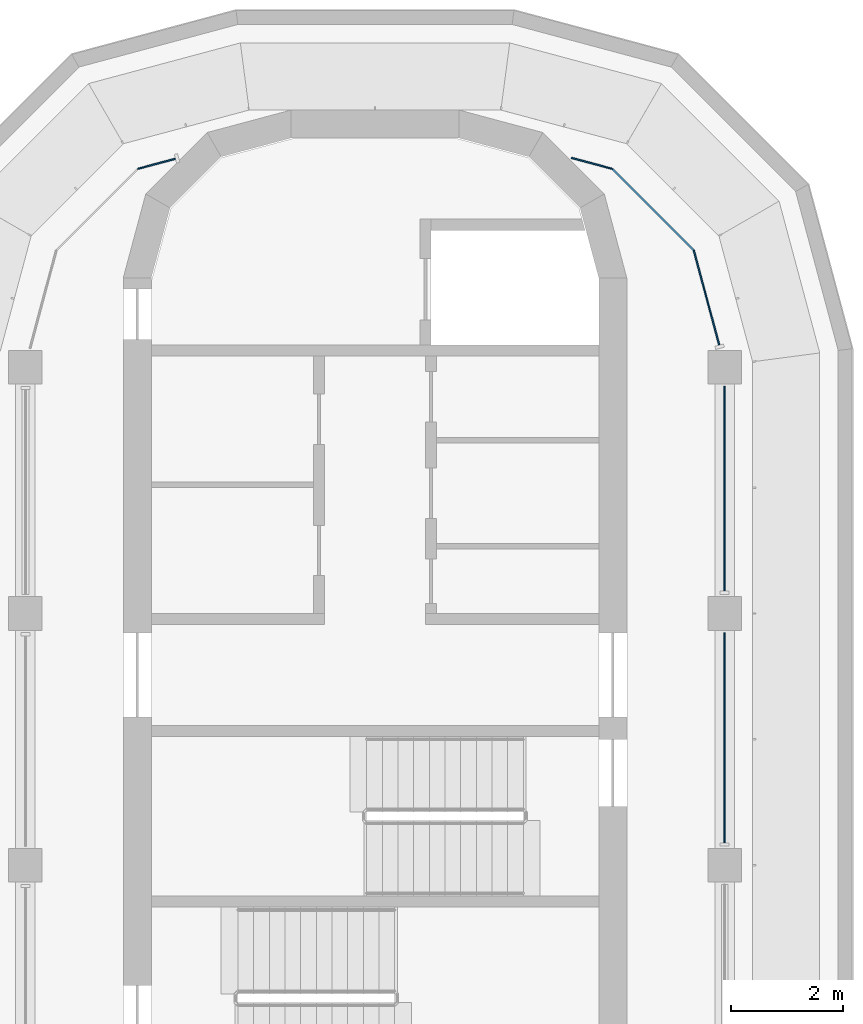
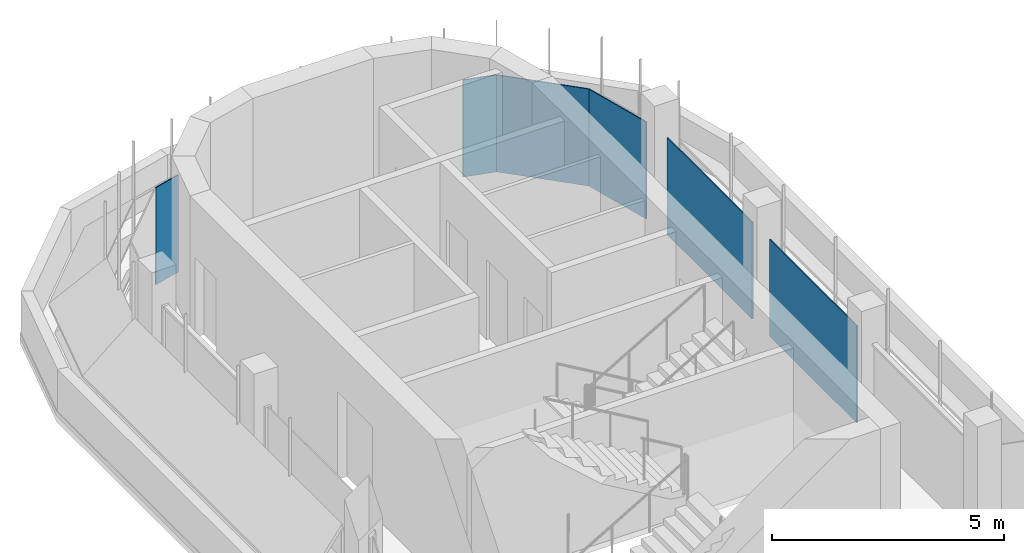
# One storey, part 7 of 13: 6 plates, 5 elements without a shape of their own.
"""IFC4 building model written with IfcOpenShell, lengths in metres."""

import ifcopenshell
import ifcopenshell.guid

model = None  # the IFC model being written
_history = None  # IfcOwnerHistory: only IFC2X3 demands one
_inside = {}  # id of a spatial element -> (the spatial element, [elements in it])
_under = {}  # id of a project, library or spatial element -> (it, [spatial elements below it])
_declared = {}  # id of a project -> (the project, [libraries it declares])
_typed = {}  # id of a type object -> (the type object, [elements of that type])
_made_of = {}  # id of a material, layer set ... -> (it, [elements and type objects made of it])


def new_model(schema):
    """Start an empty IFC model of exactly this schema.

    Asked for "IFC4X3", IfcOpenShell would pick the latest addendum, in which some entities
    have other attributes; the version numbers below select the first issue.
    IFC2X3 requires an IfcOwnerHistory on every rooted entity: one is made here for all.
    """
    global model, _history
    if schema == "IFC4X3":
        model = ifcopenshell.file(schema_version=(4, 3, 0, 0))
    else:
        model = ifcopenshell.file(schema=schema)
    _inside.clear()
    _under.clear()
    _declared.clear()
    _typed.clear()
    _made_of.clear()
    _history = None
    if model.schema == "IFC2X3":
        org = make("IfcOrganization", Name="unknown")
        user = make(
            "IfcPersonAndOrganization",
            ThePerson=make("IfcPerson", FamilyName="unknown"),
            TheOrganization=org,
        )
        app = make(
            "IfcApplication",
            ApplicationDeveloper=org,
            Version="unknown",
            ApplicationFullName="unknown",
            ApplicationIdentifier="unknown",
        )
        _history = make(
            "IfcOwnerHistory",
            OwningUser=user,
            OwningApplication=app,
            ChangeAction="ADDED",
            CreationDate=0,
        )
    return model


def make(cls, **values):
    """One entity of the class cls with the attributes given. An attribute that is None is left unset."""
    return model.create_entity(
        cls, **{name: value for name, value in values.items() if value is not None}
    )


def rooted(cls, **values):
    """An entity with a GlobalId (a new one), such as an element, a storey or a relation."""
    return make(cls, GlobalId=ifcopenshell.guid.new(), OwnerHistory=_history, **values)


def si_unit(unit_type, name, prefix=None):
    """IfcSIUnit, for example si_unit("LENGTHUNIT", "METRE", prefix="MILLI")."""
    return make("IfcSIUnit", UnitType=unit_type, Prefix=prefix, Name=name)


def assignment(units):
    """IfcUnitAssignment: the units of a project."""
    return None if units is None else make("IfcUnitAssignment", Units=units)


def point(xyz):
    """IfcCartesianPoint."""
    return None if xyz is None else make("IfcCartesianPoint", Coordinates=xyz)


def direction(xyz):
    """IfcDirection."""
    return None if xyz is None else make("IfcDirection", DirectionRatios=xyz)


def frame(location, z_axis=None, x_axis=None):
    """IfcAxis2Placement3D, a coordinate frame: its origin and axes. An axis left out is left unset."""
    return make(
        "IfcAxis2Placement3D",
        Location=point(location),
        Axis=direction(z_axis),
        RefDirection=direction(x_axis),
    )


def origin():
    """The frame at (0, 0, 0) with its axes left unset."""
    return frame((0.0, 0.0, 0.0))


def place(relative_to, where):
    """IfcLocalPlacement: puts the frame where relative to a parent placement (None: the world)."""
    return make(
        "IfcLocalPlacement", PlacementRelTo=relative_to, RelativePlacement=where
    )


def context(
    kind, dimensions, precision=None, world=None, true_north=None, identifier=None
):
    """IfcGeometricRepresentationContext, for example the 3D "Model" context."""
    return make(
        "IfcGeometricRepresentationContext",
        ContextIdentifier=identifier,
        ContextType=kind,
        CoordinateSpaceDimension=dimensions,
        Precision=precision,
        WorldCoordinateSystem=world,
        TrueNorth=true_north,
    )


def subcontext(parent, identifier, kind, view, scale=None):
    """IfcGeometricRepresentationSubContext, for example "Body" below "Model"."""
    return make(
        "IfcGeometricRepresentationSubContext",
        ContextIdentifier=identifier,
        ContextType=kind,
        ParentContext=parent,
        TargetScale=scale,
        TargetView=view,
    )


def project(units=None, contexts=None):
    """IfcProject with its units and contexts."""
    return rooted(
        "IfcProject",
        Name="project",
        RepresentationContexts=contexts,
        UnitsInContext=assignment(units),
    )


def spatial(cls, under=None, at=None, **own):
    """A site, building, storey or space (cls), placed at a placement, below another one or the project."""
    s = rooted(cls, ObjectPlacement=at, **own)
    if under is not None:
        _under.setdefault(under.id(), (under, []))[1].append(s)
    return s


def polyline(points):
    """IfcPolyline through the points."""
    return make("IfcPolyline", Points=[point(p) for p in points])


def outline(outer, holes=None, kind="AREA"):
    """IfcArbitraryClosedProfileDef: a profile drawn as a closed curve; with holes, ...WithVoids."""
    if holes is None:
        return make("IfcArbitraryClosedProfileDef", ProfileType=kind, OuterCurve=outer)
    return make(
        "IfcArbitraryProfileDefWithVoids",
        ProfileType=kind,
        OuterCurve=outer,
        InnerCurves=holes,
    )


def extrude(swept, where, along, depth):
    """IfcExtrudedAreaSolid: the profile swept, set in the frame where, extruded along a direction by depth."""
    return make(
        "IfcExtrudedAreaSolid",
        SweptArea=swept,
        Position=where,
        ExtrudedDirection=direction(along),
        Depth=depth,
    )


def shape(context_of_items, identifier, shape_type, items):
    """IfcShapeRepresentation: the items that make up one representation, for example the "Body"."""
    return make(
        "IfcShapeRepresentation",
        ContextOfItems=context_of_items,
        RepresentationIdentifier=identifier,
        RepresentationType=shape_type,
        Items=items,
    )


def source(mapping_origin, context_of_items, identifier, shape_type, items):
    """IfcRepresentationMap: a shape defined once, which mapped items show again and again."""
    return make(
        "IfcRepresentationMap",
        MappingOrigin=mapping_origin,
        MappedRepresentation=shape(context_of_items, identifier, shape_type, items),
    )


def transform(
    local_origin,
    x_axis=None,
    y_axis=None,
    z_axis=None,
    scale=None,
    scale2=None,
    scale3=None,
    uniform=True,
):
    """IfcCartesianTransformationOperator3D, or its non-uniform kind. x_axis, y_axis, z_axis: its Axis1, 2, 3."""
    if uniform:
        return make(
            "IfcCartesianTransformationOperator3D",
            Axis1=direction(x_axis),
            Axis2=direction(y_axis),
            LocalOrigin=point(local_origin),
            Scale=scale,
            Axis3=direction(z_axis),
        )
    return make(
        "IfcCartesianTransformationOperator3DnonUniform",
        Axis1=direction(x_axis),
        Axis2=direction(y_axis),
        LocalOrigin=point(local_origin),
        Scale=scale,
        Axis3=direction(z_axis),
        Scale2=scale2,
        Scale3=scale3,
    )


def mapped(mapping_source, mapping_target):
    """IfcMappedItem: shows the shape of a source again, moved by a transform."""
    return make(
        "IfcMappedItem", MappingSource=mapping_source, MappingTarget=mapping_target
    )


def material(Name=None, Category=None):
    """IfcMaterial."""
    return make("IfcMaterial", Name=Name, Category=Category)


def layer(
    of_material, thickness, ventilated=None, Name=None, Category=None, Priority=None
):
    """IfcMaterialLayer: one layer of a wall or slab, of a material (None: an air gap)."""
    return make(
        "IfcMaterialLayer",
        Material=of_material,
        LayerThickness=thickness,
        IsVentilated=ventilated,
        Name=Name,
        Category=Category,
        Priority=Priority,
    )


def layer_set(layers, Name=None):
    """IfcMaterialLayerSet."""
    return make("IfcMaterialLayerSet", MaterialLayers=layers, LayerSetName=Name)


def made_of(thing, what):
    """Note that an element or type object is made of a material, layer set ...; save() writes the relation."""
    if what is not None:
        _made_of.setdefault(what.id(), (what, []))[1].append(thing)
    return thing


def type_object(cls, material=None, **own):
    """A type object (cls), such as IfcWallType, which elements share."""
    return made_of(rooted(cls, **own), material)


def element(
    cls,
    number,
    at=None,
    inside=None,
    cuts=None,
    type_object=None,
    material=None,
    context=None,
    identifier="Body",
    shape_type=None,
    held_by="IfcProductDefinitionShape",
    body=None,
    shapes=None,
    **own,
):
    """One element of the class cls, such as IfcWall. Its Tag is "e" and its number.

    at: its placement. inside: the storey or other place that contains it. cuts: it is an
    opening in that element (IfcRelVoidsElement). A single representation is given by context,
    identifier, shape_type and body (its items); several are given by shapes. held_by: the class
    of the entity that holds the representations. save() writes the other relations.
    """
    e = rooted(cls, Tag="e%d" % number, ObjectPlacement=at, **own)
    if body is not None:
        shapes = [shape(context, identifier, shape_type, body)]
    if shapes is not None:
        e.Representation = make(held_by, Representations=shapes)
    if inside is not None:
        _inside.setdefault(inside.id(), (inside, []))[1].append(e)
    if cuts is not None:
        rooted(
            "IfcRelVoidsElement", RelatingBuildingElement=cuts, RelatedOpeningElement=e
        )
    if type_object is not None:
        _typed.setdefault(type_object.id(), (type_object, []))[1].append(e)
    return made_of(e, material)


def aggregate(whole, parts):
    """IfcRelAggregates: a whole, such as a stair, and the parts it consists of."""
    return rooted("IfcRelAggregates", RelatingObject=whole, RelatedObjects=parts)


def save(model, path):
    """Write the relations noted so far, then the file.

    IfcRelAggregates (storeys below a building ...), IfcRelContainedInSpatialStructure (elements
    in a storey), IfcRelDefinesByType, IfcRelAssociatesMaterial and IfcRelDeclares: one each for
    every whole, place, type object, material and project.
    """
    for whole, parts in _under.values():
        aggregate(whole, parts)
    for where, things in _inside.values():
        rooted(
            "IfcRelContainedInSpatialStructure",
            RelatedElements=things,
            RelatingStructure=where,
        )
    for kind, things in _typed.values():
        rooted("IfcRelDefinesByType", RelatedObjects=things, RelatingType=kind)
    for what, things in _made_of.values():
        rooted("IfcRelAssociatesMaterial", RelatedObjects=things, RelatingMaterial=what)
    for by, libraries in _declared.values():
        rooted("IfcRelDeclares", RelatingContext=by, RelatedDefinitions=libraries)
    model.write(path)


model = new_model("IFC4")

# Units and contexts
model_context = context("Model", 3, precision=1e-05, world=origin(), true_north=direction((0.0, 1.0)))
body_context = subcontext(model_context, "Body", "Model", "MODEL_VIEW")
ifc_project = project(units=[si_unit("LENGTHUNIT", "METRE"), si_unit("AREAUNIT", "SQUARE_METRE"), si_unit("VOLUMEUNIT", "CUBIC_METRE"), si_unit("PLANEANGLEUNIT", "RADIAN"), si_unit("MASSUNIT", "GRAM", prefix="KILO")], contexts=[model_context])

# Site, building, storey
site_placement = place(None, origin())
site = spatial("IfcSite", under=ifc_project, at=site_placement, CompositionType="ELEMENT")
building_placement = place(site_placement, origin())
building = spatial("IfcBuilding", under=site, at=building_placement, Name="Zarbagh Exchange Tower", CompositionType="ELEMENT")
storey_placement = place(building_placement, frame((0.0, 0.0, 302.39990234375)))
storey = spatial("IfcBuildingStorey", under=building, at=storey_placement, Name="L74", CompositionType="ELEMENT", Elevation=302.39990234375)

# Curtain wall, plate
ifc_material_1 = material(Name="Anodised aluminium frame and glazing", Category="aluminium")
curtain_wall_type = type_object("IfcCurtainWallType", Name="CWF Crown tier glazing", PredefinedType="NOTDEFINED", material=ifc_material_1)
curtain_wall_1_placement = place(storey_placement, origin())
curtain_wall_1 = element("IfcCurtainWall", 1, at=curtain_wall_1_placement, inside=storey, type_object=curtain_wall_type, Name="CWF24 curtain wall", PredefinedType="NOTDEFINED")
ifc_material_2 = material(Name="Low-e double glazed unit, 6+12+6 mm")
ifc_layer = layer(ifc_material_2, 0.028076171875)
ifc_layer_set = layer_set([ifc_layer], Name="PAF Glazing panel, Low-e double glazed unit, 6+12+6 mm")
plate_type = type_object("IfcPlateType", Name="PAF Glazing panel, Low-e double glazed unit, 6+12+6 mm", PredefinedType="CURTAIN_PANEL", material=ifc_layer_set)
shared_shape_1 = source(origin(), body_context, "Body", "SweptSolid", [
    extrude(outline(polyline([(0.0, -0.013916015625), (0.697021484375, -0.013916015625), (0.697021484375, 0.013916015625), (0.0, 0.013916015625), (0.0, -0.013916015625)])), origin(), (0.0, 0.0, 1.0), 2.550048828125),
])
placement = place(storey_placement, origin())
plate_1 = element("IfcPlate", 2, at=placement, type_object=plate_type, Name="CWF24 glazing panel 1.1", PredefinedType="CURTAIN_PANEL", context=body_context, shape_type="MappedRepresentation", body=[
    mapped(shared_shape_1, transform((-3.56787109375, 28.379150390625, 0.0), x_axis=(-0.965924289636, -0.258824779902, 0.0), y_axis=(0.258824779902, -0.965924289636, 0.0), z_axis=(0.0, 0.0, 1.0))),
])
aggregate(curtain_wall_1, [plate_1])

curtain_wall_2_placement = place(storey_placement, origin())
curtain_wall_2 = element("IfcCurtainWall", 3, at=curtain_wall_2_placement, inside=storey, type_object=curtain_wall_type, Name="CWF22 curtain wall", PredefinedType="NOTDEFINED")
shared_shape_2 = source(origin(), body_context, "Body", "SweptSolid", [
    extrude(outline(polyline([(0.0, -0.013916015625), (2.061279296875, -0.013916015625), (2.061279296875, 0.013916015625), (0.0, 0.013916015625), (0.0, -0.013916015625)])), origin(), (0.0, 0.0, 1.0), 2.550048828125),
])
plate_2 = element("IfcPlate", 4, at=placement, type_object=plate_type, Name="CWF22 glazing panel 1.1", PredefinedType="CURTAIN_PANEL", context=body_context, shape_type="MappedRepresentation", body=[
    mapped(shared_shape_2, transform((5.69873046875, 26.7412109375, 0.0), x_axis=(-0.707106781187, 0.707106781187, 0.0), y_axis=(-0.707106781187, -0.707106781187, 0.0), z_axis=(0.0, 0.0, 1.0))),
])
aggregate(curtain_wall_2, [plate_2])

# Curtain wall, plates
curtain_wall_3_placement = place(storey_placement, origin())
curtain_wall_3 = element("IfcCurtainWall", 5, at=curtain_wall_3_placement, inside=storey, type_object=curtain_wall_type, Name="CWF20 curtain wall", PredefinedType="NOTDEFINED")
shared_shape_3 = source(origin(), body_context, "Body", "SweptSolid", [
    extrude(outline(polyline([(0.0, -0.013916015625), (3.760009765625, -0.013916015625), (3.760009765625, 0.013916015625), (0.0, 0.013916015625), (0.0, -0.013916015625)])), origin(), (0.0, 0.0, 1.0), 2.550048828125),
])
plate_3 = element("IfcPlate", 6, at=placement, type_object=plate_type, Name="CWF20 glazing panel 2.1", PredefinedType="CURTAIN_PANEL", context=body_context, shape_type="MappedRepresentation", body=[
    mapped(shared_shape_3, transform((6.25, 16.150146484375, 0.0), x_axis=(0.0, 1.0, 0.0), y_axis=(-1.0, 0.0, 0.0), z_axis=(0.0, 0.0, 1.0))),
])
shared_shape_4 = source(origin(), body_context, "Body", "SweptSolid", [
    extrude(outline(polyline([(0.0, -0.013916015625), (3.659912109375, -0.013916015625), (3.659912109375, 0.013916015625), (0.0, 0.013916015625), (0.0, -0.013916015625)])), origin(), (0.0, 0.0, 1.0), 2.550048828125),
])
plate_4 = element("IfcPlate", 7, at=placement, type_object=plate_type, Name="CWF20 glazing panel 3.1", PredefinedType="CURTAIN_PANEL", context=body_context, shape_type="MappedRepresentation", body=[
    mapped(shared_shape_4, transform((6.25, 20.650146484375, 0.0), x_axis=(0.0, 1.0, 0.0), y_axis=(-1.0, 0.0, 0.0), z_axis=(0.0, 0.0, 1.0))),
])
aggregate(curtain_wall_3, [plate_3, plate_4])

# Curtain wall, plate
curtain_wall_4_placement = place(storey_placement, origin())
curtain_wall_4 = element("IfcCurtainWall", 8, at=curtain_wall_4_placement, inside=storey, type_object=curtain_wall_type, Name="CWF21 curtain wall", PredefinedType="NOTDEFINED")
shared_shape_5 = source(origin(), body_context, "Body", "SweptSolid", [
    extrude(outline(polyline([(0.0, -0.013916015625), (1.7529296875, -0.013916015625), (1.7529296875, 0.013916015625), (0.0, 0.013916015625), (0.0, -0.013916015625)])), origin(), (0.0, 0.0, 1.0), 2.550048828125),
])
plate_5 = element("IfcPlate", 9, at=placement, type_object=plate_type, Name="CWF21 glazing panel 1.1", PredefinedType="CURTAIN_PANEL", context=body_context, shape_type="MappedRepresentation", body=[
    mapped(shared_shape_5, transform((6.152587890625, 25.0478515625, 0.0), x_axis=(-0.258824779902, 0.965924289636, 0.0), y_axis=(-0.965924289636, -0.258824779902, 0.0), z_axis=(0.0, 0.0, 1.0))),
])
aggregate(curtain_wall_4, [plate_5])

curtain_wall_5_placement = place(storey_placement, origin())
curtain_wall_5 = element("IfcCurtainWall", 10, at=curtain_wall_5_placement, inside=storey, type_object=curtain_wall_type, Name="CWF23 curtain wall", PredefinedType="NOTDEFINED")
shared_shape_6 = source(origin(), body_context, "Body", "SweptSolid", [
    extrude(outline(polyline([(0.0, -0.013916015625), (0.757080078125, -0.013916015625), (0.757080078125, 0.013916015625), (0.0, 0.013916015625), (0.0, -0.013916015625)])), origin(), (0.0, 0.0, 1.0), 2.550048828125),
])
plate_6 = element("IfcPlate", 11, at=placement, type_object=plate_type, Name="CWF23 glazing panel 1.1", PredefinedType="CURTAIN_PANEL", context=body_context, shape_type="MappedRepresentation", body=[
    mapped(shared_shape_6, transform((4.2412109375, 28.19873046875, 0.0), x_axis=(-0.965924289636, 0.258824779902, 0.0), y_axis=(-0.258824779902, -0.965924289636, 0.0), z_axis=(0.0, 0.0, 1.0))),
])
aggregate(curtain_wall_5, [plate_6])

save(model, "model.ifc")
